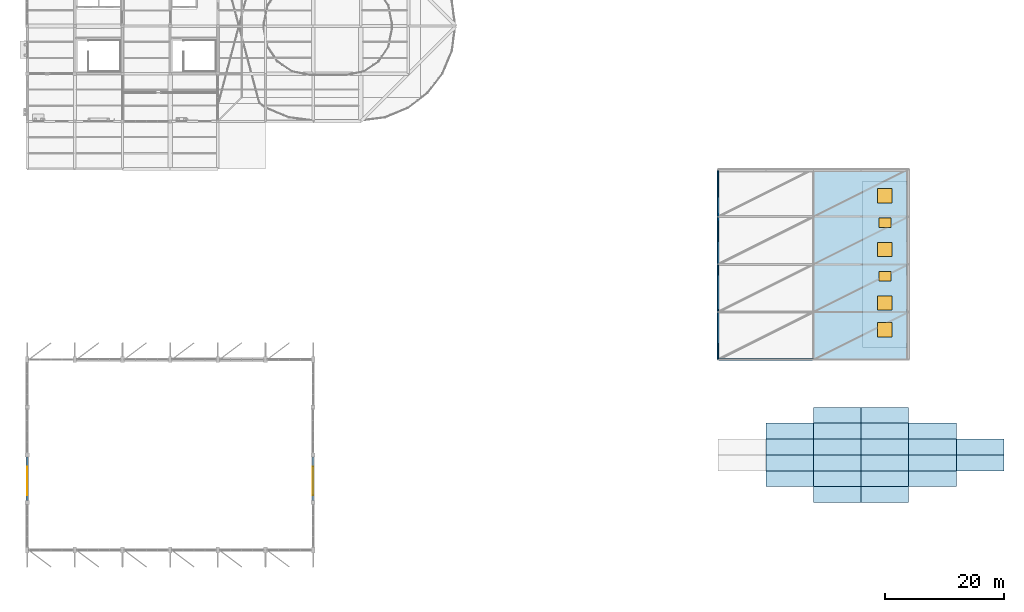
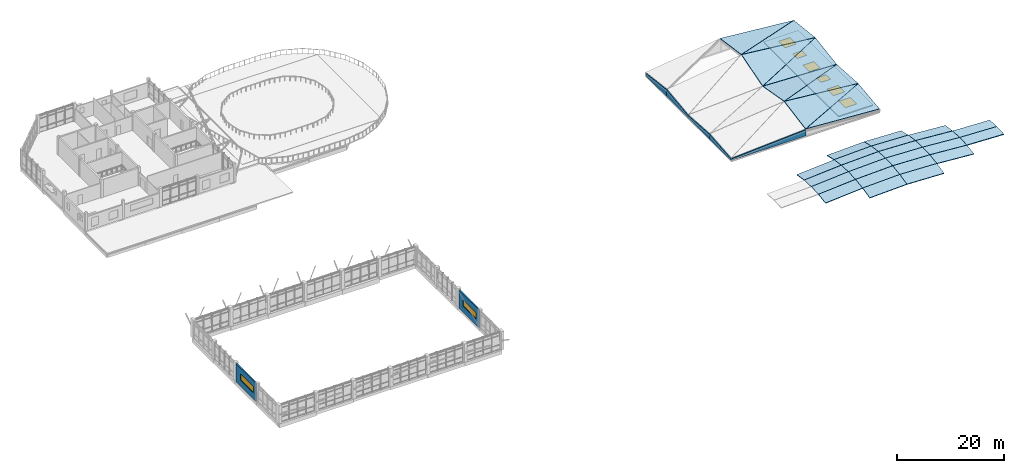
# One storey, part 38 of 44: 31 slabs, 8 windows, 7 walls, 8 openings.
"""IFC4 building model written with IfcOpenShell, lengths in metres."""

from ifc_helpers import new_model, si_unit, direction, frame, frame_2d, origin, origin_2d, place, context, subcontext, project, spatial, polyline, rectangle, outline, extrude, material, layer, layer_set, type_object, element, fill, save


model = new_model("IFC4")

# Units and contexts
model_context = context("Model", 3, precision=1e-05, world=origin(), true_north=direction((0.0, 1.0)))
body_context = subcontext(model_context, "Body", "Model", "MODEL_VIEW")
ifc_project = project(units=[si_unit("LENGTHUNIT", "METRE"), si_unit("AREAUNIT", "SQUARE_METRE"), si_unit("VOLUMEUNIT", "CUBIC_METRE"), si_unit("PLANEANGLEUNIT", "RADIAN"), si_unit("MASSUNIT", "GRAM", prefix="KILO")], contexts=[model_context])

# Site, building, storey
site_placement = place(None, origin())
site = spatial("IfcSite", under=ifc_project, at=site_placement, CompositionType="ELEMENT")
building_placement = place(site_placement, origin())
building = spatial("IfcBuilding", under=site, at=building_placement, Name="Tenunan Teduh Sports Hall", CompositionType="ELEMENT")
storey_placement = place(building_placement, frame((0.0, 0.0, 19.199951171875)))
storey = spatial("IfcBuildingStorey", under=building, at=storey_placement, Name="L04", CompositionType="ELEMENT", Elevation=19.199951171875)

# Slabs
ifc_material_1 = material(Name="Concrete C40/50", Category="concrete")
ifc_layer_1 = layer(ifc_material_1, 0.1298828125)
ifc_layer_set_1 = layer_set([ifc_layer_1], Name="Concrete C40/50")
slab_type_1 = type_object("IfcSlabType", Name="SLB-ROOF-130", PredefinedType="ROOF", material=ifc_layer_set_1)
slab_1_placement = place(storey_placement, frame((138.085205078125, 46.021240234375, 1.197998046875), z_axis=(0.063287150341, -0.120356829616, 0.990711345532), x_axis=(0.997965863386, 0.0, -0.063750572673)))
element("IfcSlab", 1, at=slab_1_placement, inside=storey, type_object=slab_type_1, Name="Crystalline Climbing Hall Roof Facet 3", PredefinedType="ROOF", context=body_context, shape_type="SweptSolid", body=[
    extrude(outline(polyline([(0.0, 0.0), (15.904422079776579, 0.0), (15.842959430487712, 7.994147046245604), (0.0, 0.0)])), origin(), (0.0, 0.0, -1.0), 0.1298828125),
])
slab_2_placement = place(storey_placement, frame((138.042724609375, 46.042724609375, 1.202880859375), z_axis=(0.092032639527, -0.177916709064, 0.979732431788), x_axis=(0.8944236683, 0.44721183415, -0.002806596141)))
element("IfcSlab", 2, at=slab_2_placement, inside=storey, type_object=slab_type_1, Name="Crystalline Climbing Hall Roof Facet 4", PredefinedType="ROOF", context=body_context, shape_type="SweptSolid", body=[
    extrude(outline(polyline([(0.0, 0.0), (17.745583972162674, -5.2562121322097255e-16), (3.5450440780887376, 7.245016543193129), (0.0, 0.0)])), origin(), (0.0, 0.0, -1.0), 0.1298828125),
])
slab_3_placement = place(storey_placement, frame((138.085205078125, 54.021240234375, 2.64306640625), z_axis=(0.09334345604, 0.062239160471, 0.993686714271), x_axis=(0.995616952596, 0.0, -0.09352477588)))
element("IfcSlab", 3, at=slab_3_placement, inside=storey, type_object=slab_type_1, Name="Crystalline Climbing Hall Roof Facet 7", PredefinedType="ROOF", context=body_context, shape_type="SweptSolid", body=[
    extrude(outline(polyline([(0.0, 0.0), (15.941944611443347, -1.3877787807814457e-17), (15.98843300101646, 7.951450919576861), (0.0, 0.0)])), origin(), (0.0, 0.0, -1.0), 0.1298828125),
])
slab_4_placement = place(storey_placement, frame((138.042724609375, 54.042724609375, 2.643310546875), z_axis=(0.036987614683, 0.172598775027, 0.984297505442), x_axis=(0.888866585688, 0.444433292844, -0.111333916927)))
element("IfcSlab", 4, at=slab_4_placement, inside=storey, type_object=slab_type_1, Name="Crystalline Climbing Hall Roof Facet 8", PredefinedType="ROOF", context=body_context, shape_type="SweptSolid", body=[
    extrude(outline(polyline([(0.0, 0.0), (17.856527141480562, 4.996003610813204e-16), (3.6819706893744186, 7.166610129801682), (0.0, 0.0)])), origin(), (0.0, 0.0, -1.0), 0.1298828125),
])
slab_5_placement = place(storey_placement, frame((138.085205078125, 62.021240234375, 1.250244140625), z_axis=(0.037099906648, -0.154565227122, 0.987285767897), x_axis=(0.999294705921, 0.0, -0.037551174653)))
element("IfcSlab", 5, at=slab_5_placement, inside=storey, type_object=slab_type_1, Name="Crystalline Climbing Hall Roof Facet 11", PredefinedType="ROOF", context=body_context, shape_type="SweptSolid", body=[
    extrude(outline(polyline([(0.0, 0.0), (15.883272690680595, 0.0), (15.8366179231486, 8.032565823915085), (0.0, 0.0)])), origin(), (0.0, 0.0, -1.0), 0.1298828125),
])
slab_6_placement = place(storey_placement, frame((138.042724609375, 62.042724609375, 1.256103515625), z_axis=(0.101611224657, -0.280906153573, 0.954341077345), x_axis=(0.89383513031, 0.446917565155, 0.036379249289)))
element("IfcSlab", 6, at=slab_6_placement, inside=storey, type_object=slab_type_1, Name="Crystalline Climbing Hall Roof Facet 12", PredefinedType="ROOF", context=body_context, shape_type="SweptSolid", body=[
    extrude(outline(polyline([(0.0, 0.0), (17.75726839802001, -4.718447854656915e-16), (3.631733161654014, 7.432884517311214), (0.0, 0.0)])), origin(), (0.0, 0.0, -1.0), 0.1298828125),
])
slab_7_placement = place(storey_placement, frame((138.085205078125, 70.021240234375, 3.591552734375), z_axis=(0.105215384951, 0.111386642722, 0.98819165074), x_axis=(0.994379529417, 0.0, -0.105874224799)))
element("IfcSlab", 7, at=slab_7_placement, inside=storey, type_object=slab_type_1, Name="Crystalline Climbing Hall Roof Facet 15", PredefinedType="ROOF", context=body_context, shape_type="SweptSolid", body=[
    extrude(outline(polyline([(0.0, 0.0), (15.961783044556835, 0.0), (16.056490847208938, 7.985729183398303), (0.0, 0.0)])), origin(), (0.0, 0.0, -1.0), 0.1298828125),
])
slab_8_placement = place(storey_placement, frame((138.042724609375, 70.042724609375, 3.592529296875), z_axis=(0.089525459619, 0.141991260818, 0.985811175597), x_axis=(0.88508951003, 0.442544755015, -0.144120432431)))
element("IfcSlab", 8, at=slab_8_placement, inside=storey, type_object=slab_type_1, Name="Crystalline Climbing Hall Roof Facet 16", PredefinedType="ROOF", context=body_context, shape_type="SweptSolid", body=[
    extrude(outline(polyline([(0.0, 0.0), (17.932728986885508, 1.1102230246251565e-16), (3.676789958777957, 7.12519967505212), (0.0, 0.0)])), origin(), (0.0, 0.0, -1.0), 0.1298828125),
])
ifc_material_2 = material(Name="Concrete C40/50", Category="concrete")
ifc_layer_2 = layer(ifc_material_2, 0.14501953125)
ifc_layer_set_2 = layer_set([ifc_layer_2], Name="Concrete C40/50")
slab_type_2 = type_object("IfcSlabType", Name="SLB-ROOF-145", PredefinedType="ROOF", material=ifc_layer_set_2)
slab_9_placement = place(storey_placement, frame((130.0, 24.6669921875, 0.0810546875), z_axis=(-0.073851967127, -0.136023940844, 0.987949074836), x_axis=(0.997217685121, -2.044845e-06, 0.074544540228)))
element("IfcSlab", 9, at=slab_9_placement, inside=storey, type_object=slab_type_2, Name="Doubly-Curved Gridshell Roof Facet V1-2-6", PredefinedType="ROOF", context=body_context, shape_type="SweptSolid", body=[
    extrude(outline(polyline([(0.0, 0.0), (8.022311690688996, 0.0), (8.049678062464555, 2.691043856954407), (0.02734817242491606, 2.691010740345417), (0.0, 0.0)])), origin(), (0.0, 0.0, -1.0), 0.14501953125),
])
slab_10_placement = place(storey_placement, frame((130.0, 30.0, 0.570068359375), z_axis=(-0.074346513986, 0.045550870263, 0.996191605102), x_axis=(0.997226708415, 6.90485e-07, 0.074423732936)))
element("IfcSlab", 10, at=slab_10_placement, inside=storey, type_object=slab_type_2, Name="Doubly-Curved Gridshell Roof Facet V1-2-8", PredefinedType="ROOF", context=body_context, shape_type="SweptSolid", body=[
    extrude(outline(polyline([(0.0, 0.0), (8.022238966884217, -3.469446951953614e-18), (8.01317404992104, 2.66975780864713), (-0.00908308681985003, 2.669768898636327), (0.0, 0.0)])), origin(), (0.0, 0.0, -1.0), 0.14501953125),
])
slab_11_placement = place(storey_placement, frame((138.0, 24.6669921875, 0.678955078125), z_axis=(-0.037250411872, -0.136346230369, 0.989960661986), x_axis=(0.999292811149, 0.0, 0.037601563603)))
element("IfcSlab", 11, at=slab_11_placement, inside=storey, type_object=slab_type_2, Name="Doubly-Curved Gridshell Roof Facet V1-3-6", PredefinedType="ROOF", context=body_context, shape_type="SweptSolid", body=[
    extrude(outline(polyline([(0.0, 0.0), (8.00566151456586, 0.0), (8.019468338701381, 2.6911475887635152), (0.01380682413552071, 2.6911475887635152), (0.0, 0.0)])), origin(), (0.0, 0.0, -1.0), 0.14501953125),
])
slab_12_placement = place(storey_placement, frame((138.0, 30.0, 1.1669921875), z_axis=(-0.037563074195, 0.045234677037, 0.998269923142), x_axis=(0.999292811149, 0.0, 0.037601563603)))
element("IfcSlab", 12, at=slab_12_placement, inside=storey, type_object=slab_type_2, Name="Doubly-Curved Gridshell Roof Facet V1-3-8", PredefinedType="ROOF", context=body_context, shape_type="SweptSolid", body=[
    extrude(outline(polyline([(0.0, 0.0), (8.00566151456586, 0.0), (8.001117380292534, 2.669724949712205), (-0.004544134273326297, 2.669724949712205), (0.0, 0.0)])), origin(), (0.0, 0.0, -1.0), 0.14501953125),
])
slab_13_placement = place(storey_placement, frame((138.0, 35.3330078125, 0.678955078125), z_axis=(-0.036659611248, 0.222428007395, 0.974259644258), x_axis=(0.999292811149, 0.0, 0.037601563603)))
element("IfcSlab", 13, at=slab_13_placement, inside=storey, type_object=slab_type_2, Name="Doubly-Curved Gridshell Roof Facet V1-3-10", PredefinedType="ROOF", context=body_context, shape_type="SweptSolid", body=[
    extrude(outline(polyline([(0.0, 0.0), (8.00566151456586, 0.0), (7.982766421883687, 2.7355193618739486), (-0.022895092682173306, 2.7355193618739486), (0.0, 0.0)])), origin(), (0.0, 0.0, -1.0), 0.14501953125),
])
slab_14_placement = place(storey_placement, frame((146.0, 24.6669921875, 0.97998046875), z_axis=(0.037250411872, -0.136346230369, 0.989960661986), x_axis=(0.999292811149, 0.0, -0.037601563603)))
element("IfcSlab", 14, at=slab_14_placement, inside=storey, type_object=slab_type_2, Name="Doubly-Curved Gridshell Roof Facet V1-4-6", PredefinedType="ROOF", context=body_context, shape_type="SweptSolid", body=[
    extrude(outline(polyline([(0.0, 0.0), (8.00566151456586, 0.0), (7.99185469043034, 2.6911475887635152), (-0.01380682413552071, 2.6911475887635152), (0.0, 0.0)])), origin(), (0.0, 0.0, -1.0), 0.14501953125),
])
slab_15_placement = place(storey_placement, frame((146.0, 30.0, 1.468017578125), z_axis=(0.037563074195, 0.045234677037, 0.998269923142), x_axis=(0.999292811149, 0.0, -0.037601563603)))
element("IfcSlab", 15, at=slab_15_placement, inside=storey, type_object=slab_type_2, Name="Doubly-Curved Gridshell Roof Facet V1-4-8", PredefinedType="ROOF", context=body_context, shape_type="SweptSolid", body=[
    extrude(outline(polyline([(0.0, 0.0), (8.00566151456586, 0.0), (8.010205648839186, 2.6697249497122053), (0.004544134273326297, 2.669724949712205), (0.0, 0.0)])), origin(), (0.0, 0.0, -1.0), 0.14501953125),
])
slab_16_placement = place(storey_placement, frame((146.0, 35.3330078125, 0.97998046875), z_axis=(0.036656700352, 0.222767058527, 0.974182284767), x_axis=(0.999292811149, 0.0, -0.037601563603)))
element("IfcSlab", 16, at=slab_16_placement, inside=storey, type_object=slab_type_2, Name="Doubly-Curved Gridshell Roof Facet V1-4-10", PredefinedType="ROOF", context=body_context, shape_type="SweptSolid", body=[
    extrude(outline(polyline([(0.0, 0.0), (8.00566151456586, 0.0), (8.02859332752499, 2.7357365885548), (0.022931812959129477, 2.7357365885548006), (0.0, 0.0)])), origin(), (0.0, 0.0, -1.0), 0.14501953125),
])
slab_17_placement = place(storey_placement, frame((154.0, 24.6669921875, 0.678955078125), z_axis=(0.073851967127, -0.136023940844, 0.987949074836), x_axis=(0.997217685121, 2.044845e-06, -0.074544540228)))
element("IfcSlab", 17, at=slab_17_placement, inside=storey, type_object=slab_type_2, Name="Doubly-Curved Gridshell Roof Facet V1-5-6", PredefinedType="ROOF", context=body_context, shape_type="SweptSolid", body=[
    extrude(outline(polyline([(0.0, 0.0), (8.022311690688996, 0.0), (7.994963518264081, 2.6910107403454173), (-0.02736637177555756, 2.6910438569544075), (0.0, 0.0)])), origin(), (0.0, 0.0, -1.0), 0.14501953125),
])
slab_18_placement = place(storey_placement, frame((154.0, 30.0, 1.1669921875), z_axis=(0.074347744387, 0.045186846338, 0.996208091627), x_axis=(0.997226708377, -6.84978e-07, -0.074423733436)))
element("IfcSlab", 18, at=slab_18_placement, inside=storey, type_object=slab_type_2, Name="Doubly-Curved Gridshell Roof Facet V1-5-8", PredefinedType="ROOF", context=body_context, shape_type="SweptSolid", body=[
    extrude(outline(polyline([(0.0, 0.0), (8.022238966884185, 3.469446951953614e-18), (8.031249389024286, 2.6697246715681353), (0.008992252283303186, 2.6697136702055957), (0.0, 0.0)])), origin(), (0.0, 0.0, -1.0), 0.14501953125),
])
slab_19_placement = place(storey_placement, frame((162.0, 30.0, 0.570068359375), z_axis=(0.037562293928, 0.045690643853, 0.998249186896), x_axis=(0.999292811149, 0.0, -0.037601563603)))
element("IfcSlab", 19, at=slab_19_placement, inside=storey, type_object=slab_type_2, Name="Doubly-Curved Gridshell Roof Facet V1-6-8", PredefinedType="ROOF", context=body_context, shape_type="SweptSolid", body=[
    extrude(outline(polyline([(0.0, 0.0), (8.00566151456586, 1.734723475976807e-18), (8.010251549185382, 2.6697804068803257), (0.004590034619521513, 2.6697804068803257), (0.0, 0.0)])), origin(), (0.0, 0.0, -1.0), 0.14501953125),
])
ifc_material_3 = material(Name="Concrete C40/50", Category="concrete")
ifc_layer_3 = layer(ifc_material_3, 0.159912109375)
ifc_layer_set_3 = layer_set([ifc_layer_3], Name="Concrete C40/50")
slab_type_3 = type_object("IfcSlabType", Name="SLB-ROOF-160", PredefinedType="ROOF", material=ifc_layer_set_3)
slab_20_placement = place(storey_placement, frame((130.0, 27.3330078125, 0.464111328125), z_axis=(-0.074468677983, -0.045186437465, 0.996199077428), x_axis=(0.997217666503, -6.84959e-07, 0.074544789308)))
element("IfcSlab", 20, at=slab_20_placement, inside=storey, type_object=slab_type_3, Name="Doubly-Curved Gridshell Roof Facet V1-2-7", PredefinedType="ROOF", context=body_context, shape_type="SweptSolid", body=[
    extrude(outline(polyline([(0.0, 0.0), (8.022311690673794, 6.938893903907228e-18), (8.031336771972931, 2.669724622052721), (0.009006881887684698, 2.669713620889455), (0.0, 0.0)])), origin(), (0.0, 0.0, -1.0), 0.159912109375),
])
slab_21_placement = place(storey_placement, frame((130.0, 32.6669921875, 0.464111328125), z_axis=(-0.073837428675, 0.13597969302, 0.987956252682), x_axis=(0.997218795223, 0.0, 0.0745296884)))
element("IfcSlab", 21, at=slab_21_placement, inside=storey, type_object=slab_type_3, Name="Doubly-Curved Gridshell Roof Facet V1-2-9", PredefinedType="ROOF", context=body_context, shape_type="SweptSolid", body=[
    extrude(outline(polyline([(0.0, 0.0), (8.02231169159548, -1.3877787807814457e-17), (7.994963517360688, 2.6910107430293873), (-0.027348174234792015, 2.6910107430293877), (0.0, 0.0)])), origin(), (0.0, 0.0, -1.0), 0.159912109375),
])
slab_22_placement = place(storey_placement, frame((138.0, 22.0, 0.0849609375), z_axis=(-0.036655972007, -0.222851808686, 0.974162928406), x_axis=(0.999292811149, 0.0, 0.037601563603)))
element("IfcSlab", 22, at=slab_22_placement, inside=storey, type_object=slab_type_3, Name="Doubly-Curved Gridshell Roof Facet V1-3-5", PredefinedType="ROOF", context=body_context, shape_type="SweptSolid", body=[
    extrude(outline(polyline([(0.0, 0.0), (8.00566151456586, 1.3877787807814457e-17), (8.028602507594229, 2.7357909469204467), (0.02294099302836852, 2.735790946920446), (0.0, 0.0)])), origin(), (0.0, 0.0, -1.0), 0.159912109375),
])
slab_23_placement = place(storey_placement, frame((138.0, 27.3330078125, 1.06201171875), z_axis=(-0.037441231253, -0.045326079809, 0.998270354509), x_axis=(0.999297387291, 0.0, 0.037479751251)))
element("IfcSlab", 23, at=slab_23_placement, inside=storey, type_object=slab_type_3, Name="Doubly-Curved Gridshell Roof Facet V1-3-7", PredefinedType="ROOF", context=body_context, shape_type="SweptSolid", body=[
    extrude(outline(polyline([(0.0, 0.0), (8.005624853767456, 0.0), (8.01016341739546, 2.669736021766065), (0.004538563628004988, 2.669736021766065), (0.0, 0.0)])), origin(), (0.0, 0.0, -1.0), 0.159912109375),
])
slab_24_placement = place(storey_placement, frame((138.0, 32.6669921875, 1.06201171875), z_axis=(-0.037130192739, 0.136257870687, 0.989977343914), x_axis=(0.999297387291, 0.0, 0.037479751251)))
element("IfcSlab", 24, at=slab_24_placement, inside=storey, type_object=slab_type_3, Name="Doubly-Curved Gridshell Roof Facet V1-3-9", PredefinedType="ROOF", context=body_context, shape_type="SweptSolid", body=[
    extrude(outline(polyline([(0.0, 0.0), (8.005624853767456, 0.0), (7.991871907935013, 2.691114564304998), (-0.013752945832442534, 2.691114564304998), (0.0, 0.0)])), origin(), (0.0, 0.0, -1.0), 0.159912109375),
])
slab_25_placement = place(storey_placement, frame((146.0, 22.0, 0.385986328125), z_axis=(0.036658883896, -0.222512777749, 0.974240314281), x_axis=(0.999292811149, 0.0, -0.037601563603)))
element("IfcSlab", 25, at=slab_25_placement, inside=storey, type_object=slab_type_3, Name="Doubly-Curved Gridshell Roof Facet V1-4-5", PredefinedType="ROOF", context=body_context, shape_type="SweptSolid", body=[
    extrude(outline(polyline([(0.0, 0.0), (8.00566151456586, 0.0), (7.982757241814448, 2.7355736375244395), (-0.02290427275141235, 2.735573637524439), (0.0, 0.0)])), origin(), (0.0, 0.0, -1.0), 0.159912109375),
])
slab_26_placement = place(storey_placement, frame((146.0, 27.3330078125, 1.362060546875), z_axis=(0.037440608434, -0.045690852651, 0.998253748715), x_axis=(0.999297387291, 0.0, -0.037479751251)))
element("IfcSlab", 26, at=slab_26_placement, inside=storey, type_object=slab_type_3, Name="Doubly-Curved Gridshell Roof Facet V1-4-7", PredefinedType="ROOF", context=body_context, shape_type="SweptSolid", body=[
    extrude(outline(polyline([(0.0, 0.0), (8.005624853767456, 1.734723475976807e-18), (8.001049688819869, 2.669780432403681), (-0.004575164947585673, 2.6697804324036807), (0.0, 0.0)])), origin(), (0.0, 0.0, -1.0), 0.159912109375),
])
slab_27_placement = place(storey_placement, frame((146.0, 32.6669921875, 1.362060546875), z_axis=(0.037130192739, 0.136257870687, 0.989977343914), x_axis=(0.999297387291, 0.0, -0.037479751251)))
element("IfcSlab", 27, at=slab_27_placement, inside=storey, type_object=slab_type_3, Name="Doubly-Curved Gridshell Roof Facet V1-4-9", PredefinedType="ROOF", context=body_context, shape_type="SweptSolid", body=[
    extrude(outline(polyline([(0.0, 0.0), (8.005624853767456, 0.0), (8.019377799599898, 2.691114564304998), (0.013752945832442534, 2.691114564304998), (0.0, 0.0)])), origin(), (0.0, 0.0, -1.0), 0.159912109375),
])
slab_28_placement = place(storey_placement, frame((154.0, 27.3330078125, 1.06201171875), z_axis=(0.074468677983, -0.045186437465, 0.996199077428), x_axis=(0.997217666503, 6.84959e-07, -0.074544789308)))
element("IfcSlab", 28, at=slab_28_placement, inside=storey, type_object=slab_type_3, Name="Doubly-Curved Gridshell Roof Facet V1-5-7", PredefinedType="ROOF", context=body_context, shape_type="SweptSolid", body=[
    extrude(outline(polyline([(0.0, 0.0), (8.022311690673794, -6.938893903907228e-18), (8.01330480878611, 2.669713620889455), (-0.009025081299136756, 2.6697246220527204), (0.0, 0.0)])), origin(), (0.0, 0.0, -1.0), 0.159912109375),
])
slab_29_placement = place(storey_placement, frame((154.0, 32.6669921875, 1.06201171875), z_axis=(0.073837428675, 0.13597969302, 0.987956252682), x_axis=(0.997218795223, 0.0, -0.0745296884)))
element("IfcSlab", 29, at=slab_29_placement, inside=storey, type_object=slab_type_3, Name="Doubly-Curved Gridshell Roof Facet V1-5-9", PredefinedType="ROOF", context=body_context, shape_type="SweptSolid", body=[
    extrude(outline(polyline([(0.0, 0.0), (8.02231169159548, 1.3877787807814457e-17), (8.049659865830272, 2.6910107430293877), (0.027348174234792015, 2.6910107430293877), (0.0, 0.0)])), origin(), (0.0, 0.0, -1.0), 0.159912109375),
])
slab_30_placement = place(storey_placement, frame((162.0, 27.3330078125, 0.464111328125), z_axis=(0.037563074195, -0.045234677037, 0.998269923142), x_axis=(0.999292811149, 0.0, -0.037601563603)))
element("IfcSlab", 30, at=slab_30_placement, inside=storey, type_object=slab_type_3, Name="Doubly-Curved Gridshell Roof Facet V1-6-7", PredefinedType="ROOF", context=body_context, shape_type="SweptSolid", body=[
    extrude(outline(polyline([(0.0, 0.0), (8.00566151456586, 0.0), (8.001117380292534, 2.669724949712205), (-0.004544134273326297, 2.669724949712205), (0.0, 0.0)])), origin(), (0.0, 0.0, -1.0), 0.159912109375),
])

# Slab, openings, windows
ifc_material_4 = material(Name="Concrete C40/50", Category="concrete")
ifc_layer_4 = layer(ifc_material_4, 0.25)
ifc_layer_set_4 = layer_set([ifc_layer_4], Name="Concrete C40/50")
slab_type_4 = type_object("IfcSlabType", Name="SLB-ROOF-250", PredefinedType="ROOF", material=ifc_layer_set_4)
slab_31_placement = place(storey_placement, frame((0.0, 0.0, -0.25)))
slab_31 = element("IfcSlab", 31, at=slab_31_placement, inside=storey, type_object=slab_type_4, Name="Climbing Gallery Skylight Monitor Roof", PredefinedType="ROOF", context=body_context, shape_type="SweptSolid", body=[
    extrude(outline(polyline([(146.25, 48.0), (153.75, 48.0), (153.75, 76.0), (146.25, 76.0), (146.25, 48.0)])), origin(), (0.0, 0.0, 1.0), 0.25),
])
opening_1_placement = place(slab_31_placement, frame((150.0, 51.0, 0.0)))
opening_1 = element("IfcOpeningElement", 32, at=opening_1_placement, cuts=slab_31, Name="Opening SK-01", PredefinedType="OPENING", context=body_context, shape_type="SweptSolid", body=[
    extrude(rectangle(XDim=2.39990234375, YDim=2.39990234375, at=origin_2d()), origin(), (0.0, 0.0, 1.0), 0.25),
])
opening_2_placement = place(slab_31_placement, frame((150.0, 55.5, 0.0)))
opening_2 = element("IfcOpeningElement", 33, at=opening_2_placement, cuts=slab_31, Name="Opening SK-01", PredefinedType="OPENING", context=body_context, shape_type="SweptSolid", body=[
    extrude(rectangle(XDim=2.39990234375, YDim=2.39990234375, at=origin_2d()), origin(), (0.0, 0.0, 1.0), 0.25),
])
opening_3_placement = place(slab_31_placement, frame((150.0, 60.0, 0.0)))
opening_3 = element("IfcOpeningElement", 34, at=opening_3_placement, cuts=slab_31, Name="Opening SK-04", PredefinedType="OPENING", context=body_context, shape_type="SweptSolid", body=[
    extrude(rectangle(XDim=2.0, YDim=1.60009765625, at=origin_2d()), origin(), (0.0, 0.0, 1.0), 0.25),
])
opening_4_placement = place(slab_31_placement, frame((150.0, 64.5, 0.0)))
opening_4 = element("IfcOpeningElement", 35, at=opening_4_placement, cuts=slab_31, Name="Opening SK-01", PredefinedType="OPENING", context=body_context, shape_type="SweptSolid", body=[
    extrude(rectangle(XDim=2.39990234375, YDim=2.39990234375, at=origin_2d()), origin(), (0.0, 0.0, 1.0), 0.25),
])
opening_5_placement = place(slab_31_placement, frame((150.0, 69.0, 0.0)))
opening_5 = element("IfcOpeningElement", 36, at=opening_5_placement, cuts=slab_31, Name="Opening SK-04", PredefinedType="OPENING", context=body_context, shape_type="SweptSolid", body=[
    extrude(rectangle(XDim=2.0, YDim=1.60009765625, at=origin_2d()), origin(), (0.0, 0.0, 1.0), 0.25),
])
opening_6_placement = place(slab_31_placement, frame((150.0, 73.5, 0.0)))
opening_6 = element("IfcOpeningElement", 37, at=opening_6_placement, cuts=slab_31, Name="Opening SK-01", PredefinedType="OPENING", context=body_context, shape_type="SweptSolid", body=[
    extrude(rectangle(XDim=2.39990234375, YDim=2.39990234375, at=origin_2d()), origin(), (0.0, 0.0, 1.0), 0.25),
])
ifc_material_5 = material(Name="Thermally broken aluminium and Low-E glazing", Category="aluminium")
window_type_1 = type_object("IfcWindowType", Name="SKY-01", PartitioningType="SINGLE_PANEL", PredefinedType="SKYLIGHT", material=ifc_material_5)
window_1_placement = place(opening_1_placement, frame((0.0, 0.0, 0.199951171875)))
window_1 = element("IfcWindow", 38, at=window_1_placement, inside=storey, type_object=window_type_1, Name="SKY-L04-12", OverallHeight=2.39990234375, OverallWidth=2.39990234375, PartitioningType="SINGLE_PANEL", PredefinedType="SKYLIGHT", context=body_context, shape_type="SweptSolid", body=[
    extrude(rectangle(XDim=2.39990234375, YDim=2.39990234375, at=origin_2d()), origin(), (0.0, 0.0, 1.0), 0.050048828125),
])
fill(opening_1, window_1)
window_2_placement = place(opening_2_placement, frame((0.0, 0.0, 0.199951171875)))
window_2 = element("IfcWindow", 39, at=window_2_placement, inside=storey, type_object=window_type_1, Name="SKY-L04-13", OverallHeight=2.39990234375, OverallWidth=2.39990234375, PartitioningType="SINGLE_PANEL", PredefinedType="SKYLIGHT", context=body_context, shape_type="SweptSolid", body=[
    extrude(rectangle(XDim=2.39990234375, YDim=2.39990234375, at=origin_2d()), origin(), (0.0, 0.0, 1.0), 0.050048828125),
])
fill(opening_2, window_2)
window_3_placement = place(opening_4_placement, frame((0.0, 0.0, 0.199951171875)))
window_3 = element("IfcWindow", 40, at=window_3_placement, inside=storey, type_object=window_type_1, Name="SKY-L04-15", OverallHeight=2.39990234375, OverallWidth=2.39990234375, PartitioningType="SINGLE_PANEL", PredefinedType="SKYLIGHT", context=body_context, shape_type="SweptSolid", body=[
    extrude(rectangle(XDim=2.39990234375, YDim=2.39990234375, at=origin_2d()), origin(), (0.0, 0.0, 1.0), 0.050048828125),
])
fill(opening_4, window_3)
window_4_placement = place(opening_6_placement, frame((0.0, 0.0, 0.199951171875)))
window_4 = element("IfcWindow", 41, at=window_4_placement, inside=storey, type_object=window_type_1, Name="SKY-L04-17", OverallHeight=2.39990234375, OverallWidth=2.39990234375, PartitioningType="SINGLE_PANEL", PredefinedType="SKYLIGHT", context=body_context, shape_type="SweptSolid", body=[
    extrude(rectangle(XDim=2.39990234375, YDim=2.39990234375, at=origin_2d()), origin(), (0.0, 0.0, 1.0), 0.050048828125),
])
fill(opening_6, window_4)
ifc_material_6 = material(Name="Thermally broken aluminium and Low-E glazing", Category="aluminium")
window_type_2 = type_object("IfcWindowType", Name="SKY-04", PartitioningType="SINGLE_PANEL", PredefinedType="SKYLIGHT", material=ifc_material_6)
window_5_placement = place(opening_3_placement, frame((0.0, 0.0, 0.199951171875)))
window_5 = element("IfcWindow", 42, at=window_5_placement, inside=storey, type_object=window_type_2, Name="SKY-L04-14", OverallHeight=1.60009765625, OverallWidth=2.0, PartitioningType="SINGLE_PANEL", PredefinedType="SKYLIGHT", context=body_context, shape_type="SweptSolid", body=[
    extrude(rectangle(XDim=2.0, YDim=1.60009765625, at=origin_2d()), origin(), (0.0, 0.0, 1.0), 0.050048828125),
])
fill(opening_3, window_5)
window_6_placement = place(opening_5_placement, frame((0.0, 0.0, 0.199951171875)))
window_6 = element("IfcWindow", 43, at=window_6_placement, inside=storey, type_object=window_type_2, Name="SKY-L04-16", OverallHeight=1.60009765625, OverallWidth=2.0, PartitioningType="SINGLE_PANEL", PredefinedType="SKYLIGHT", context=body_context, shape_type="SweptSolid", body=[
    extrude(rectangle(XDim=2.0, YDim=1.60009765625, at=origin_2d()), origin(), (0.0, 0.0, 1.0), 0.050048828125),
])
fill(opening_5, window_6)

# Walls
ifc_material_7 = material(Name="Precast concrete C40/50", Category="concrete")
ifc_layer_5 = layer(ifc_material_7, 0.25)
ifc_layer_set_5 = layer_set([ifc_layer_5], Name="Precast concrete C40/50")
wall_type_1 = type_object("IfcWallType", Name="WL-EXT-250", PredefinedType="SOLIDWALL", material=ifc_layer_set_5)
wall_1_placement = place(storey_placement, frame((122.0, 46.0, -0.27001953125), z_axis=(0.0, 0.0, 1.0), x_axis=(0.0, 1.0, 0.0)))
element("IfcWall", 44, at=wall_1_placement, inside=storey, type_object=wall_type_1, Name="WL-EXT-L04-127", PredefinedType="SOLIDWALL", context=body_context, shape_type="SweptSolid", body=[
    extrude(outline(polyline([(0.0, 0.0), (8.0, 0.0), (8.0, 1.090087890625), (0.0, 0.3701171875), (0.0, 0.0)])), frame((0.0, 0.125, 0.0), z_axis=(0.0, -1.0, 0.0), x_axis=(1.0, 0.0, 0.0)), (0.0, 0.0, 1.0), 0.25),
])
wall_2_placement = place(storey_placement, frame((122.0, 54.0, -0.27001953125), z_axis=(0.0, 0.0, 1.0), x_axis=(0.0, 1.0, 0.0)))
element("IfcWall", 45, at=wall_2_placement, inside=storey, type_object=wall_type_1, Name="WL-EXT-L04-128", PredefinedType="SOLIDWALL", context=body_context, shape_type="SweptSolid", body=[
    extrude(outline(polyline([(0.0, 0.0), (8.0, 0.0), (8.0, 0.550048828125), (0.0, 1.090087890625), (0.0, 0.0)])), frame((0.0, 0.125, 0.0), z_axis=(0.0, -1.0, 0.0), x_axis=(1.0, 0.0, 0.0)), (0.0, 0.0, 1.0), 0.25),
])
wall_3_placement = place(storey_placement, frame((122.0, 62.0, -0.27001953125), z_axis=(0.0, 0.0, 1.0), x_axis=(0.0, 1.0, 0.0)))
element("IfcWall", 46, at=wall_3_placement, inside=storey, type_object=wall_type_1, Name="WL-EXT-L04-129", PredefinedType="SOLIDWALL", context=body_context, shape_type="SweptSolid", body=[
    extrude(outline(polyline([(0.0, 0.0), (8.0, 0.0), (8.0, 1.550048828125), (0.0, 0.550048828125), (0.0, 0.0)])), frame((0.0, 0.125, 0.0), z_axis=(0.0, -1.0, 0.0), x_axis=(1.0, 0.0, 0.0)), (0.0, 0.0, 1.0), 0.25),
])
wall_4_placement = place(storey_placement, frame((122.0, 70.0, -0.27001953125), z_axis=(0.0, 0.0, 1.0), x_axis=(0.0, 1.0, 0.0)))
element("IfcWall", 47, at=wall_4_placement, inside=storey, type_object=wall_type_1, Name="WL-EXT-L04-130", PredefinedType="SOLIDWALL", context=body_context, shape_type="SweptSolid", body=[
    extrude(outline(polyline([(0.0, 0.0), (7.697265625, 0.0), (7.697265625, 0.550048828125), (0.0, 1.550048828125), (0.0, 0.0)])), frame((0.0, 0.125, 0.0), z_axis=(0.0, -1.0, 0.0), x_axis=(1.0, 0.0, 0.0)), (0.0, 0.0, 1.0), 0.25),
])
wall_5_placement = place(storey_placement, frame((122.0, 46.0, -0.27001953125), z_axis=(0.0, 0.0, 1.0), x_axis=(1.0, 0.0, 0.0)))
element("IfcWall", 48, at=wall_5_placement, inside=storey, type_object=wall_type_1, Name="WL-EXT-L04-135", PredefinedType="SOLIDWALL", context=body_context, shape_type="SweptSolid", body=[
    extrude(outline(polyline([(0.0, 0.0), (16.0, 0.0), (16.0, 1.39013671875), (0.0, 0.3701171875), (0.0, 0.0)])), frame((0.0, 0.125, 0.0), z_axis=(0.0, -1.0, 0.0), x_axis=(1.0, 0.0, 0.0)), (0.0, 0.0, 1.0), 0.25),
])

# Wall, opening, window
ifc_material_8 = material(Name="Concrete C40/50", Category="concrete")
ifc_layer_6 = layer(ifc_material_8, 0.300048828125)
ifc_layer_set_6 = layer_set([ifc_layer_6], Name="Concrete C40/50")
wall_type_2 = type_object("IfcWallType", Name="WL-EXT-300", PredefinedType="SOLIDWALL", material=ifc_layer_set_6)
wall_6_placement = place(storey_placement, frame((6.0, 22.35009765625, -0.27001953125), z_axis=(0.0, 0.0, 1.0), x_axis=(0.0, 1.0, 0.0)))
wall_6 = element("IfcWall", 49, at=wall_6_placement, inside=storey, type_object=wall_type_2, Name="WL-EXT-L04-108", PredefinedType="SOLIDWALL", context=body_context, shape_type="SweptSolid", body=[
    extrude(rectangle(XDim=7.2998046875, YDim=0.300048828125, at=frame_2d((3.64990234375, 0.0))), origin(), (0.0, 0.0, 1.0), 4.170166015625),
])
opening_7_placement = place(wall_6_placement, frame((0.89990234375, 0.0, 1.419921875)))
opening_7 = element("IfcOpeningElement", 50, at=opening_7_placement, cuts=wall_6, Name="Opening W-12", PredefinedType="OPENING", context=body_context, shape_type="SweptSolid", body=[
    extrude(rectangle(XDim=4.800048828125, YDim=1.39990234375, at=frame_2d((2.39990234375, 0.699951171875))), frame((0.0, 0.159912109375, 0.0), z_axis=(0.0, -1.0, 0.0), x_axis=(1.0, 0.0, 0.0)), (0.0, 0.0, 1.0), 0.320068359375),
])
ifc_material_9 = material(Name="Thermally broken aluminium and Low-E glazing", Category="aluminium")
window_type_3 = type_object("IfcWindowType", Name="WIN-12", PartitioningType="TRIPLE_PANEL_HORIZONTAL", PredefinedType="WINDOW", material=ifc_material_9)
window_7_placement = place(opening_7_placement, origin())
window_7 = element("IfcWindow", 51, at=window_7_placement, inside=storey, type_object=window_type_3, Name="WIN-L04-020", OverallHeight=1.39990234375, OverallWidth=4.800048828125, PartitioningType="SINGLE_PANEL", PredefinedType="WINDOW", context=body_context, shape_type="SweptSolid", body=[
    extrude(rectangle(XDim=4.800048828125, YDim=1.39990234375, at=frame_2d((2.39990234375, 0.699951171875))), frame((0.0, 0.030029296875, 0.0), z_axis=(0.0, -1.0, 0.0), x_axis=(1.0, 0.0, 0.0)), (0.0, 0.0, 1.0), 0.06005859375),
])
fill(opening_7, window_7)

wall_7_placement = place(storey_placement, frame((54.0, 22.35009765625, -0.27001953125), z_axis=(0.0, 0.0, 1.0), x_axis=(0.0, 1.0, 0.0)))
wall_7 = element("IfcWall", 52, at=wall_7_placement, inside=storey, type_object=wall_type_2, Name="WL-EXT-L04-109", PredefinedType="SOLIDWALL", context=body_context, shape_type="SweptSolid", body=[
    extrude(rectangle(XDim=7.2998046875, YDim=0.300048828125, at=frame_2d((3.64990234375, 0.0))), origin(), (0.0, 0.0, 1.0), 4.170166015625),
])
opening_8_placement = place(wall_7_placement, frame((0.89990234375, 0.0, 1.419921875)))
opening_8 = element("IfcOpeningElement", 53, at=opening_8_placement, cuts=wall_7, Name="Opening W-12", PredefinedType="OPENING", context=body_context, shape_type="SweptSolid", body=[
    extrude(rectangle(XDim=4.800048828125, YDim=1.39990234375, at=frame_2d((2.39990234375, 0.699951171875))), frame((0.0, 0.159912109375, 0.0), z_axis=(0.0, -1.0, 0.0), x_axis=(1.0, 0.0, 0.0)), (0.0, 0.0, 1.0), 0.320068359375),
])
window_8_placement = place(opening_8_placement, origin())
window_8 = element("IfcWindow", 54, at=window_8_placement, inside=storey, type_object=window_type_3, Name="WIN-L04-021", OverallHeight=1.39990234375, OverallWidth=4.800048828125, PartitioningType="SINGLE_PANEL", PredefinedType="WINDOW", context=body_context, shape_type="SweptSolid", body=[
    extrude(rectangle(XDim=4.800048828125, YDim=1.39990234375, at=frame_2d((2.39990234375, 0.699951171875))), frame((0.0, 0.030029296875, 0.0), z_axis=(0.0, -1.0, 0.0), x_axis=(1.0, 0.0, 0.0)), (0.0, 0.0, 1.0), 0.06005859375),
])
fill(opening_8, window_8)

save(model, "model.ifc")
